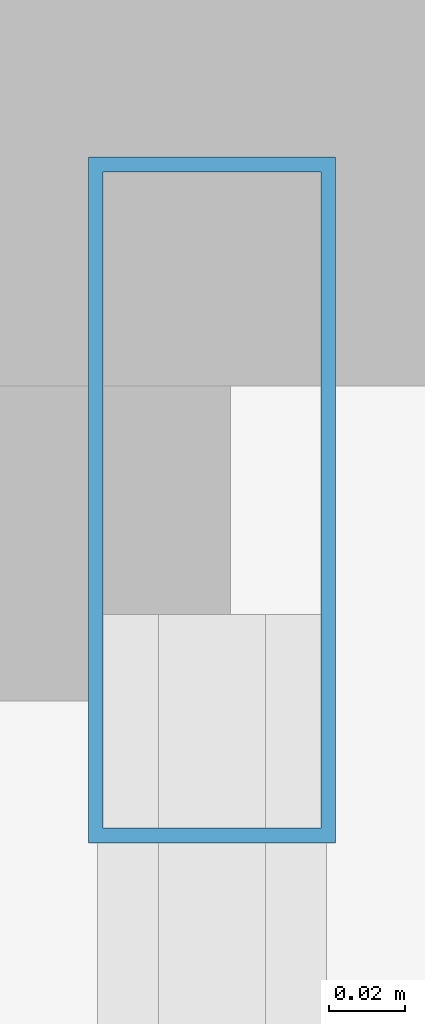
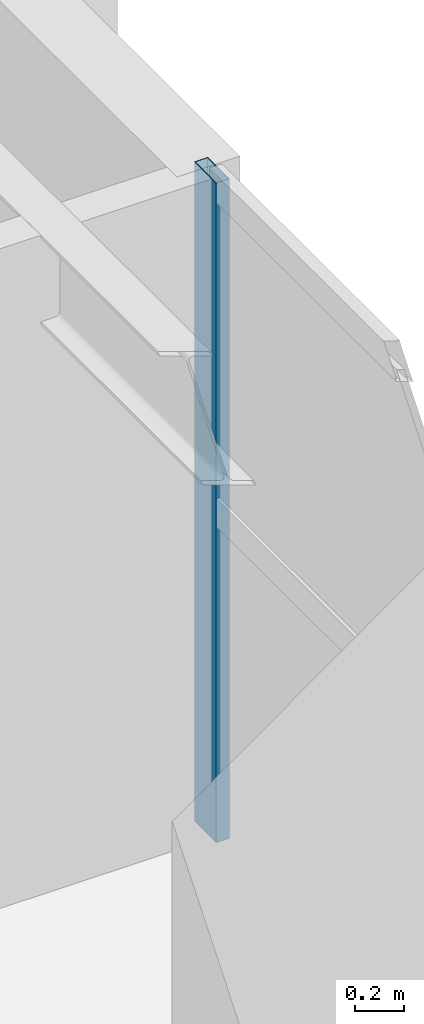
# One storey, part 13 of 26: 1 member, 1 element without a shape of its own.
"""IFC4 building model written with IfcOpenShell, lengths in metres."""

from ifc_helpers import new_model, si_unit, direction, frame, origin, origin_2d, place, context, subcontext, project, spatial, hollow_rectangle, extrude, source, transform, mapped, material, layer, layer_set, material_profile, profile_set, type_object, element, aggregate, save


model = new_model("IFC4")

# Units and contexts
model_context = context("Model", 3, precision=1e-05, world=origin(), true_north=direction((0.0, 1.0)))
body_context = subcontext(model_context, "Body", "Model", "MODEL_VIEW")
ifc_project = project(units=[si_unit("LENGTHUNIT", "METRE"), si_unit("AREAUNIT", "SQUARE_METRE"), si_unit("VOLUMEUNIT", "CUBIC_METRE"), si_unit("PLANEANGLEUNIT", "RADIAN"), si_unit("MASSUNIT", "GRAM", prefix="KILO")], contexts=[model_context])

# Site, building, storey
site_placement = place(None, origin())
site = spatial("IfcSite", under=ifc_project, at=site_placement, CompositionType="ELEMENT")
building_placement = place(site_placement, origin())
building = spatial("IfcBuilding", under=site, at=building_placement, Name="Khoralis Quay Care Tower", CompositionType="ELEMENT")
storey_placement = place(building_placement, frame((0.0, 0.0, 26.10009765625)))
storey = spatial("IfcBuildingStorey", under=building, at=storey_placement, Name="L06", CompositionType="ELEMENT", Elevation=26.10009765625)

# Curtain wall, member
ifc_material = material(Name="Pale anodised aluminium", Category="aluminium")
ifc_layer = layer(ifc_material, 0.179931640625)
ifc_layer_set = layer_set([ifc_layer], Name="Pale anodised aluminium")
curtain_wall_type = type_object("IfcCurtainWallType", Name="CW-SYS-Z1", PredefinedType="NOTDEFINED", material=ifc_layer_set)
curtain_wall_placement = place(storey_placement, origin())
curtain_wall = element("IfcCurtainWall", 1, at=curtain_wall_placement, inside=storey, type_object=curtain_wall_type, Name="L06 Unitised Curtain Wall CW-L06-P1-E5", PredefinedType="NOTDEFINED")
ifc_material_profile = material_profile(ifc_material, hollow_rectangle(XDim=0.06494140625, YDim=0.179931640625, WallThickness=0.00390625, at=origin_2d()), Name="Pale anodised aluminium")
ifc_profile_set = profile_set([ifc_material_profile], Name="Pale anodised aluminium")
member_type = type_object("IfcMemberType", Name="CW-MUL-180", PredefinedType="MULLION", material=ifc_profile_set)
shared_shape = source(origin(), body_context, "Body", "SweptSolid", [
    extrude(hollow_rectangle(XDim=0.06494140625, YDim=0.179931640625, WallThickness=0.00390625, at=origin_2d()), origin(), (0.0, 0.0, 1.0), 3.31982421875),
])
member_placement = place(storey_placement, frame((47.85009765625, 32.610107421875, 0.0), z_axis=(0.0, 0.0, 1.0), x_axis=(-1.0, 0.0, 0.0)))
member = element("IfcMember", 2, at=member_placement, type_object=member_type, Name="CW1 mullion 6", PredefinedType="MULLION", context=body_context, shape_type="MappedRepresentation", body=[
    mapped(shared_shape, transform((0.0, 0.0, 0.0), scale=1.0)),
])
aggregate(curtain_wall, [member])

save(model, "model.ifc")
